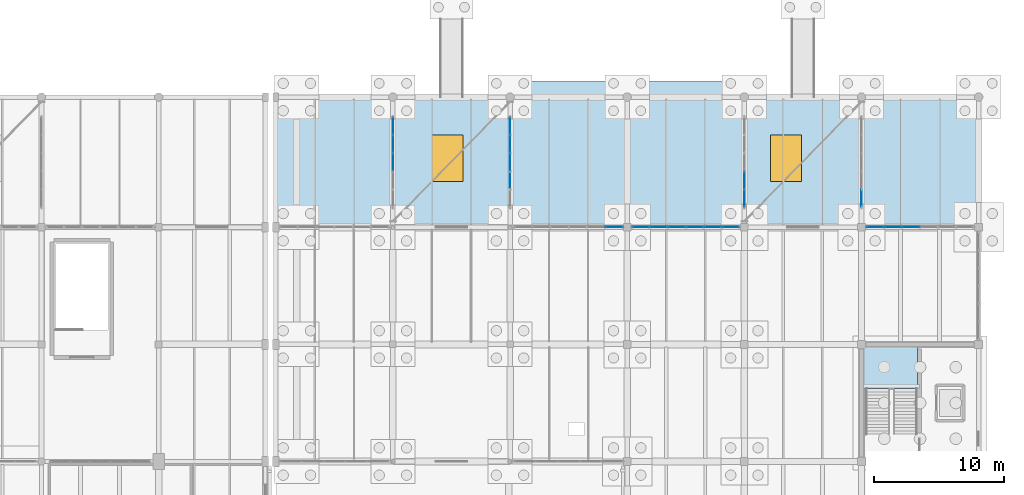
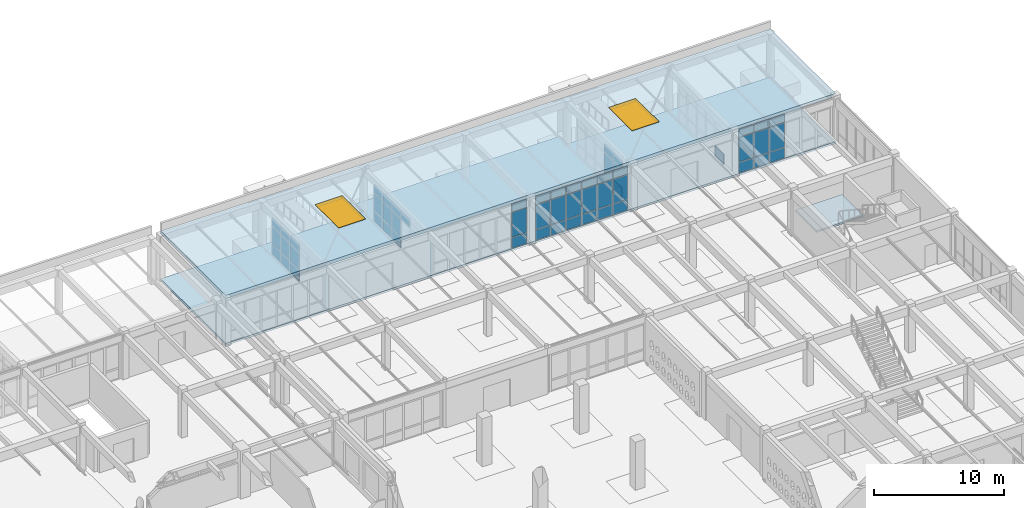
# One storey, part 154 of 186: 56 plates, 3 slabs, 2 windows, 2 openings, 8 elements without a shape of their own.
"""IFC4 building model written with IfcOpenShell, lengths in metres."""

from ifc_helpers import new_model, si_unit, direction, frame, origin, origin_2d, place, context, subcontext, project, spatial, polyline, rectangle, outline, extrude, material, layer, layer_set, type_object, element, fill, aggregate, save


model = new_model("IFC4")

# Units and contexts
model_context = context("Model", 3, precision=1e-05, world=origin(), true_north=direction((0.0, 1.0)))
body_context = subcontext(model_context, "Body", "Model", "MODEL_VIEW")
ifc_project = project(units=[si_unit("LENGTHUNIT", "METRE"), si_unit("AREAUNIT", "SQUARE_METRE"), si_unit("VOLUMEUNIT", "CUBIC_METRE"), si_unit("PLANEANGLEUNIT", "RADIAN"), si_unit("MASSUNIT", "GRAM", prefix="KILO")], contexts=[model_context])

# Site, building, storey
site_placement = place(None, origin())
site = spatial("IfcSite", under=ifc_project, at=site_placement, CompositionType="ELEMENT")
building_placement = place(site_placement, origin())
building = spatial("IfcBuilding", under=site, at=building_placement, Name="Ornek Quay Market", CompositionType="ELEMENT")
storey_placement = place(building_placement, origin())
storey = spatial("IfcBuildingStorey", under=building, at=storey_placement, Name="L00", CompositionType="ELEMENT", Elevation=0.0)

# Curtain wall, plates
ifc_material_1 = material(Name="Anodised bronze aluminium and triple low-e glass", Category="aluminium")
ifc_layer_1 = layer(ifc_material_1, 0.179931640625, Name="Anodised bronze aluminium and triple low-e glass", Category="aluminium")
ifc_layer_set_1 = layer_set([ifc_layer_1], Name="Anodised bronze aluminium and triple low-e glass")
curtain_wall_type_1 = type_object("IfcCurtainWallType", Name="CW-CONC-MOD1500", PredefinedType="USERDEFINED", material=ifc_layer_set_1)
curtain_wall_1_placement = place(storey_placement, origin())
curtain_wall_1 = element("IfcCurtainWall", 1, at=curtain_wall_1_placement, inside=storey, type_object=curtain_wall_type_1, Name="Curtain wall CW-029", ObjectType="CURTAIN WALL", PredefinedType="USERDEFINED")
ifc_material_2 = material(Name="Triple insulated low-e glass", Category="glass")
ifc_layer_2 = layer(ifc_material_2, 0.035888671875, Name="Triple insulated low-e glass", Category="glass")
ifc_layer_set_2 = layer_set([ifc_layer_2], Name="Triple insulated low-e glass")
plate_type = type_object("IfcPlateType", Name="PL-CW-TRIPLE-36", PredefinedType="CURTAIN_PANEL", material=ifc_layer_set_2)
plate_1_placement = place(storey_placement, frame((151.985107421875, 110.0, 0.06005859375), z_axis=(0.0, 0.0, 1.0), x_axis=(1.0, 0.0, 0.0)))
plate_1 = element("IfcPlate", 2, at=plate_1_placement, type_object=plate_type, Name="CW-029 panel 6.1", PredefinedType="CURTAIN_PANEL", context=body_context, shape_type="SweptSolid", body=[
    extrude(rectangle(XDim=1.31005859375, YDim=0.035888671875, at=origin_2d()), origin(), (0.0, 0.0, 1.0), 0.9599609375),
])
plate_2_placement = place(storey_placement, frame((151.985107421875, 110.0, 1.080078125), z_axis=(0.0, 0.0, 1.0), x_axis=(1.0, 0.0, 0.0)))
plate_2 = element("IfcPlate", 3, at=plate_2_placement, type_object=plate_type, Name="CW-029 panel 6.2", PredefinedType="CURTAIN_PANEL", context=body_context, shape_type="SweptSolid", body=[
    extrude(rectangle(XDim=1.31005859375, YDim=0.035888671875, at=origin_2d()), origin(), (0.0, 0.0, 1.0), 2.31005859375),
])
plate_3_placement = place(storey_placement, frame((151.985107421875, 110.0, 3.4501953125), z_axis=(0.0, 0.0, 1.0), x_axis=(1.0, 0.0, 0.0)))
plate_3 = element("IfcPlate", 4, at=plate_3_placement, type_object=plate_type, Name="CW-029 panel 6.3", PredefinedType="CURTAIN_PANEL", context=body_context, shape_type="SweptSolid", body=[
    extrude(rectangle(XDim=1.31005859375, YDim=0.035888671875, at=origin_2d()), origin(), (0.0, 0.0, 1.0), 0.760009765625),
])
aggregate(curtain_wall_1, [plate_1, plate_2, plate_3])

ifc_layer_3 = layer(ifc_material_1, 0.18994140625, Name="Anodised bronze aluminium and triple low-e glass", Category="aluminium")
ifc_layer_set_3 = layer_set([ifc_layer_3], Name="Anodised bronze aluminium and triple low-e glass")
curtain_wall_type_2 = type_object("IfcCurtainWallType", Name="CW-FC-MOD1500", PredefinedType="USERDEFINED", material=ifc_layer_set_3)
curtain_wall_2_placement = place(storey_placement, origin())
curtain_wall_2 = element("IfcCurtainWall", 5, at=curtain_wall_2_placement, inside=storey, type_object=curtain_wall_type_2, Name="Curtain wall CW-079", ObjectType="CURTAIN WALL", PredefinedType="USERDEFINED")
plate_4_placement = place(storey_placement, frame((154.05908203125, 110.0, 0.06494140625), z_axis=(0.0, 0.0, 1.0), x_axis=(1.0, 0.0, 0.0)))
plate_4 = element("IfcPlate", 6, at=plate_4_placement, type_object=plate_type, Name="CW-079 panel 1.1", PredefinedType="CURTAIN_PANEL", context=body_context, shape_type="SweptSolid", body=[
    extrude(rectangle(XDim=1.2783203125, YDim=0.035888671875, at=origin_2d()), origin(), (0.0, 0.0, 1.0), 0.952392578125),
])
plate_5_placement = place(storey_placement, frame((154.05908203125, 110.0, 1.08251953125), z_axis=(0.0, 0.0, 1.0), x_axis=(1.0, 0.0, 0.0)))
plate_5 = element("IfcPlate", 7, at=plate_5_placement, type_object=plate_type, Name="CW-079 panel 1.2", PredefinedType="CURTAIN_PANEL", context=body_context, shape_type="SweptSolid", body=[
    extrude(rectangle(XDim=1.2783203125, YDim=0.035888671875, at=origin_2d()), origin(), (0.0, 0.0, 1.0), 2.264892578125),
])
plate_6_placement = place(storey_placement, frame((154.05908203125, 110.0, 3.41259765625), z_axis=(0.0, 0.0, 1.0), x_axis=(1.0, 0.0, 0.0)))
plate_6 = element("IfcPlate", 8, at=plate_6_placement, type_object=plate_type, Name="CW-079 panel 1.3", PredefinedType="CURTAIN_PANEL", context=body_context, shape_type="SweptSolid", body=[
    extrude(rectangle(XDim=1.2783203125, YDim=0.035888671875, at=origin_2d()), origin(), (0.0, 0.0, 1.0), 0.75244140625),
])
plate_7_placement = place(storey_placement, frame((155.425048828125, 110.0, 0.06494140625), z_axis=(0.0, 0.0, 1.0), x_axis=(1.0, 0.0, 0.0)))
plate_7 = element("IfcPlate", 9, at=plate_7_placement, type_object=plate_type, Name="CW-079 panel 2.1", PredefinedType="CURTAIN_PANEL", context=body_context, shape_type="SweptSolid", body=[
    extrude(rectangle(XDim=1.313232421875, YDim=0.035888671875, at=origin_2d()), origin(), (0.0, 0.0, 1.0), 0.952392578125),
])
plate_8_placement = place(storey_placement, frame((155.425048828125, 110.0, 1.08251953125), z_axis=(0.0, 0.0, 1.0), x_axis=(1.0, 0.0, 0.0)))
plate_8 = element("IfcPlate", 10, at=plate_8_placement, type_object=plate_type, Name="CW-079 panel 2.2", PredefinedType="CURTAIN_PANEL", context=body_context, shape_type="SweptSolid", body=[
    extrude(rectangle(XDim=1.313232421875, YDim=0.035888671875, at=origin_2d()), origin(), (0.0, 0.0, 1.0), 2.264892578125),
])
plate_9_placement = place(storey_placement, frame((155.425048828125, 110.0, 3.41259765625), z_axis=(0.0, 0.0, 1.0), x_axis=(1.0, 0.0, 0.0)))
plate_9 = element("IfcPlate", 11, at=plate_9_placement, type_object=plate_type, Name="CW-079 panel 2.3", PredefinedType="CURTAIN_PANEL", context=body_context, shape_type="SweptSolid", body=[
    extrude(rectangle(XDim=1.313232421875, YDim=0.035888671875, at=origin_2d()), origin(), (0.0, 0.0, 1.0), 0.75244140625),
])
plate_10_placement = place(storey_placement, frame((156.808349609375, 110.0, 0.06494140625), z_axis=(0.0, 0.0, 1.0), x_axis=(1.0, 0.0, 0.0)))
plate_10 = element("IfcPlate", 12, at=plate_10_placement, type_object=plate_type, Name="CW-079 panel 3.1", PredefinedType="CURTAIN_PANEL", context=body_context, shape_type="SweptSolid", body=[
    extrude(rectangle(XDim=1.313232421875, YDim=0.035888671875, at=origin_2d()), origin(), (0.0, 0.0, 1.0), 0.952392578125),
])
plate_11_placement = place(storey_placement, frame((156.808349609375, 110.0, 1.08251953125), z_axis=(0.0, 0.0, 1.0), x_axis=(1.0, 0.0, 0.0)))
plate_11 = element("IfcPlate", 13, at=plate_11_placement, type_object=plate_type, Name="CW-079 panel 3.2", PredefinedType="CURTAIN_PANEL", context=body_context, shape_type="SweptSolid", body=[
    extrude(rectangle(XDim=1.313232421875, YDim=0.035888671875, at=origin_2d()), origin(), (0.0, 0.0, 1.0), 2.264892578125),
])
plate_12_placement = place(storey_placement, frame((156.808349609375, 110.0, 3.41259765625), z_axis=(0.0, 0.0, 1.0), x_axis=(1.0, 0.0, 0.0)))
plate_12 = element("IfcPlate", 14, at=plate_12_placement, type_object=plate_type, Name="CW-079 panel 3.3", PredefinedType="CURTAIN_PANEL", context=body_context, shape_type="SweptSolid", body=[
    extrude(rectangle(XDim=1.313232421875, YDim=0.035888671875, at=origin_2d()), origin(), (0.0, 0.0, 1.0), 0.75244140625),
])
plate_13_placement = place(storey_placement, frame((158.191650390625, 110.0, 0.06494140625), z_axis=(0.0, 0.0, 1.0), x_axis=(1.0, 0.0, 0.0)))
plate_13 = element("IfcPlate", 15, at=plate_13_placement, type_object=plate_type, Name="CW-079 panel 4.1", PredefinedType="CURTAIN_PANEL", context=body_context, shape_type="SweptSolid", body=[
    extrude(rectangle(XDim=1.313232421875, YDim=0.035888671875, at=origin_2d()), origin(), (0.0, 0.0, 1.0), 0.952392578125),
])
plate_14_placement = place(storey_placement, frame((158.191650390625, 110.0, 1.08251953125), z_axis=(0.0, 0.0, 1.0), x_axis=(1.0, 0.0, 0.0)))
plate_14 = element("IfcPlate", 16, at=plate_14_placement, type_object=plate_type, Name="CW-079 panel 4.2", PredefinedType="CURTAIN_PANEL", context=body_context, shape_type="SweptSolid", body=[
    extrude(rectangle(XDim=1.313232421875, YDim=0.035888671875, at=origin_2d()), origin(), (0.0, 0.0, 1.0), 2.264892578125),
])
plate_15_placement = place(storey_placement, frame((158.191650390625, 110.0, 3.41259765625), z_axis=(0.0, 0.0, 1.0), x_axis=(1.0, 0.0, 0.0)))
plate_15 = element("IfcPlate", 17, at=plate_15_placement, type_object=plate_type, Name="CW-079 panel 4.3", PredefinedType="CURTAIN_PANEL", context=body_context, shape_type="SweptSolid", body=[
    extrude(rectangle(XDim=1.313232421875, YDim=0.035888671875, at=origin_2d()), origin(), (0.0, 0.0, 1.0), 0.75244140625),
])
plate_16_placement = place(storey_placement, frame((159.574951171875, 110.0, 0.06494140625), z_axis=(0.0, 0.0, 1.0), x_axis=(1.0, 0.0, 0.0)))
plate_16 = element("IfcPlate", 18, at=plate_16_placement, type_object=plate_type, Name="CW-079 panel 5.1", PredefinedType="CURTAIN_PANEL", context=body_context, shape_type="SweptSolid", body=[
    extrude(rectangle(XDim=1.313232421875, YDim=0.035888671875, at=origin_2d()), origin(), (0.0, 0.0, 1.0), 0.952392578125),
])
plate_17_placement = place(storey_placement, frame((159.574951171875, 110.0, 1.08251953125), z_axis=(0.0, 0.0, 1.0), x_axis=(1.0, 0.0, 0.0)))
plate_17 = element("IfcPlate", 19, at=plate_17_placement, type_object=plate_type, Name="CW-079 panel 5.2", PredefinedType="CURTAIN_PANEL", context=body_context, shape_type="SweptSolid", body=[
    extrude(rectangle(XDim=1.313232421875, YDim=0.035888671875, at=origin_2d()), origin(), (0.0, 0.0, 1.0), 2.264892578125),
])
plate_18_placement = place(storey_placement, frame((159.574951171875, 110.0, 3.41259765625), z_axis=(0.0, 0.0, 1.0), x_axis=(1.0, 0.0, 0.0)))
plate_18 = element("IfcPlate", 20, at=plate_18_placement, type_object=plate_type, Name="CW-079 panel 5.3", PredefinedType="CURTAIN_PANEL", context=body_context, shape_type="SweptSolid", body=[
    extrude(rectangle(XDim=1.313232421875, YDim=0.035888671875, at=origin_2d()), origin(), (0.0, 0.0, 1.0), 0.75244140625),
])
plate_19_placement = place(storey_placement, frame((160.94091796875, 110.0, 0.06494140625), z_axis=(0.0, 0.0, 1.0), x_axis=(1.0, 0.0, 0.0)))
plate_19 = element("IfcPlate", 21, at=plate_19_placement, type_object=plate_type, Name="CW-079 panel 6.1", PredefinedType="CURTAIN_PANEL", context=body_context, shape_type="SweptSolid", body=[
    extrude(rectangle(XDim=1.2783203125, YDim=0.035888671875, at=origin_2d()), origin(), (0.0, 0.0, 1.0), 0.952392578125),
])
plate_20_placement = place(storey_placement, frame((160.94091796875, 110.0, 1.08251953125), z_axis=(0.0, 0.0, 1.0), x_axis=(1.0, 0.0, 0.0)))
plate_20 = element("IfcPlate", 22, at=plate_20_placement, type_object=plate_type, Name="CW-079 panel 6.2", PredefinedType="CURTAIN_PANEL", context=body_context, shape_type="SweptSolid", body=[
    extrude(rectangle(XDim=1.2783203125, YDim=0.035888671875, at=origin_2d()), origin(), (0.0, 0.0, 1.0), 2.264892578125),
])
plate_21_placement = place(storey_placement, frame((160.94091796875, 110.0, 3.41259765625), z_axis=(0.0, 0.0, 1.0), x_axis=(1.0, 0.0, 0.0)))
plate_21 = element("IfcPlate", 23, at=plate_21_placement, type_object=plate_type, Name="CW-079 panel 6.3", PredefinedType="CURTAIN_PANEL", context=body_context, shape_type="SweptSolid", body=[
    extrude(rectangle(XDim=1.2783203125, YDim=0.035888671875, at=origin_2d()), origin(), (0.0, 0.0, 1.0), 0.75244140625),
])
aggregate(curtain_wall_2, [plate_4, plate_5, plate_6, plate_7, plate_8, plate_9, plate_10, plate_11, plate_12, plate_13, plate_14, plate_15, plate_16, plate_17, plate_18, plate_19, plate_20, plate_21])

curtain_wall_3_placement = place(storey_placement, origin())
curtain_wall_3 = element("IfcCurtainWall", 24, at=curtain_wall_3_placement, inside=storey, type_object=curtain_wall_type_2, Name="Curtain wall CW-080", ObjectType="CURTAIN WALL", PredefinedType="USERDEFINED")
plate_22_placement = place(storey_placement, frame((172.05908203125, 110.0, 0.06494140625), z_axis=(0.0, 0.0, 1.0), x_axis=(1.0, 0.0, 0.0)))
plate_22 = element("IfcPlate", 25, at=plate_22_placement, type_object=plate_type, Name="CW-080 panel 1.1", PredefinedType="CURTAIN_PANEL", context=body_context, shape_type="SweptSolid", body=[
    extrude(rectangle(XDim=1.2783203125, YDim=0.035888671875, at=origin_2d()), origin(), (0.0, 0.0, 1.0), 0.952392578125),
])
plate_23_placement = place(storey_placement, frame((172.05908203125, 110.0, 1.08251953125), z_axis=(0.0, 0.0, 1.0), x_axis=(1.0, 0.0, 0.0)))
plate_23 = element("IfcPlate", 26, at=plate_23_placement, type_object=plate_type, Name="CW-080 panel 1.2", PredefinedType="CURTAIN_PANEL", context=body_context, shape_type="SweptSolid", body=[
    extrude(rectangle(XDim=1.2783203125, YDim=0.035888671875, at=origin_2d()), origin(), (0.0, 0.0, 1.0), 2.264892578125),
])
plate_24_placement = place(storey_placement, frame((172.05908203125, 110.0, 3.41259765625), z_axis=(0.0, 0.0, 1.0), x_axis=(1.0, 0.0, 0.0)))
plate_24 = element("IfcPlate", 27, at=plate_24_placement, type_object=plate_type, Name="CW-080 panel 1.3", PredefinedType="CURTAIN_PANEL", context=body_context, shape_type="SweptSolid", body=[
    extrude(rectangle(XDim=1.2783203125, YDim=0.035888671875, at=origin_2d()), origin(), (0.0, 0.0, 1.0), 0.75244140625),
])
plate_25_placement = place(storey_placement, frame((173.425048828125, 110.0, 0.06494140625), z_axis=(0.0, 0.0, 1.0), x_axis=(1.0, 0.0, 0.0)))
plate_25 = element("IfcPlate", 28, at=plate_25_placement, type_object=plate_type, Name="CW-080 panel 2.1", PredefinedType="CURTAIN_PANEL", context=body_context, shape_type="SweptSolid", body=[
    extrude(rectangle(XDim=1.313232421875, YDim=0.035888671875, at=origin_2d()), origin(), (0.0, 0.0, 1.0), 0.952392578125),
])
plate_26_placement = place(storey_placement, frame((173.425048828125, 110.0, 1.08251953125), z_axis=(0.0, 0.0, 1.0), x_axis=(1.0, 0.0, 0.0)))
plate_26 = element("IfcPlate", 29, at=plate_26_placement, type_object=plate_type, Name="CW-080 panel 2.2", PredefinedType="CURTAIN_PANEL", context=body_context, shape_type="SweptSolid", body=[
    extrude(rectangle(XDim=1.313232421875, YDim=0.035888671875, at=origin_2d()), origin(), (0.0, 0.0, 1.0), 2.264892578125),
])
plate_27_placement = place(storey_placement, frame((173.425048828125, 110.0, 3.41259765625), z_axis=(0.0, 0.0, 1.0), x_axis=(1.0, 0.0, 0.0)))
plate_27 = element("IfcPlate", 30, at=plate_27_placement, type_object=plate_type, Name="CW-080 panel 2.3", PredefinedType="CURTAIN_PANEL", context=body_context, shape_type="SweptSolid", body=[
    extrude(rectangle(XDim=1.313232421875, YDim=0.035888671875, at=origin_2d()), origin(), (0.0, 0.0, 1.0), 0.75244140625),
])
plate_28_placement = place(storey_placement, frame((174.808349609375, 110.0, 0.06494140625), z_axis=(0.0, 0.0, 1.0), x_axis=(1.0, 0.0, 0.0)))
plate_28 = element("IfcPlate", 31, at=plate_28_placement, type_object=plate_type, Name="CW-080 panel 3.1", PredefinedType="CURTAIN_PANEL", context=body_context, shape_type="SweptSolid", body=[
    extrude(rectangle(XDim=1.313232421875, YDim=0.035888671875, at=origin_2d()), origin(), (0.0, 0.0, 1.0), 0.952392578125),
])
plate_29_placement = place(storey_placement, frame((174.808349609375, 110.0, 1.08251953125), z_axis=(0.0, 0.0, 1.0), x_axis=(1.0, 0.0, 0.0)))
plate_29 = element("IfcPlate", 32, at=plate_29_placement, type_object=plate_type, Name="CW-080 panel 3.2", PredefinedType="CURTAIN_PANEL", context=body_context, shape_type="SweptSolid", body=[
    extrude(rectangle(XDim=1.313232421875, YDim=0.035888671875, at=origin_2d()), origin(), (0.0, 0.0, 1.0), 2.264892578125),
])
plate_30_placement = place(storey_placement, frame((174.808349609375, 110.0, 3.41259765625), z_axis=(0.0, 0.0, 1.0), x_axis=(1.0, 0.0, 0.0)))
plate_30 = element("IfcPlate", 33, at=plate_30_placement, type_object=plate_type, Name="CW-080 panel 3.3", PredefinedType="CURTAIN_PANEL", context=body_context, shape_type="SweptSolid", body=[
    extrude(rectangle(XDim=1.313232421875, YDim=0.035888671875, at=origin_2d()), origin(), (0.0, 0.0, 1.0), 0.75244140625),
])
aggregate(curtain_wall_3, [plate_22, plate_23, plate_24, plate_25, plate_26, plate_27, plate_28, plate_29, plate_30])

ifc_layer_4 = layer(ifc_material_1, 0.219970703125, Name="Anodised bronze aluminium and triple low-e glass", Category="aluminium")
ifc_layer_set_4 = layer_set([ifc_layer_4], Name="Anodised bronze aluminium and triple low-e glass")
curtain_wall_type_3 = type_object("IfcCurtainWallType", Name="CW-PORCH-MOD1500", PredefinedType="USERDEFINED", material=ifc_layer_set_4)
curtain_wall_4_placement = place(storey_placement, origin())
curtain_wall_4 = element("IfcCurtainWall", 34, at=curtain_wall_4_placement, inside=storey, type_object=curtain_wall_type_3, Name="Curtain wall CW-155", ObjectType="CURTAIN WALL", PredefinedType="USERDEFINED")
plate_31_placement = place(storey_placement, frame((135.0, 115.0, 0.06982421875), z_axis=(0.0, 0.0, 1.0), x_axis=(0.0, 1.0, 0.0)))
plate_31 = element("IfcPlate", 35, at=plate_31_placement, type_object=plate_type, Name="CW-155 panel 3.1", PredefinedType="CURTAIN_PANEL", context=body_context, shape_type="SweptSolid", body=[
    extrude(rectangle(XDim=1.330078125, YDim=0.035888671875, at=origin_2d()), origin(), (0.0, 0.0, 1.0), 0.945068359375),
])
plate_32_placement = place(storey_placement, frame((135.0, 115.0, 1.0849609375), z_axis=(0.0, 0.0, 1.0), x_axis=(0.0, 1.0, 0.0)))
plate_32 = element("IfcPlate", 36, at=plate_32_placement, type_object=plate_type, Name="CW-155 panel 3.2", PredefinedType="CURTAIN_PANEL", context=body_context, shape_type="SweptSolid", body=[
    extrude(rectangle(XDim=1.330078125, YDim=0.035888671875, at=origin_2d()), origin(), (0.0, 0.0, 1.0), 1.6298828125),
])
plate_33_placement = place(storey_placement, frame((135.0, 115.0, 2.784912109375), z_axis=(0.0, 0.0, 1.0), x_axis=(0.0, 1.0, 0.0)))
plate_33 = element("IfcPlate", 37, at=plate_33_placement, type_object=plate_type, Name="CW-155 panel 3.3", PredefinedType="CURTAIN_PANEL", context=body_context, shape_type="SweptSolid", body=[
    extrude(rectangle(XDim=1.330078125, YDim=0.035888671875, at=origin_2d()), origin(), (0.0, 0.0, 1.0), 0.7451171875),
])
plate_34_placement = place(storey_placement, frame((135.0, 116.39990234375, 0.06982421875), z_axis=(0.0, 0.0, 1.0), x_axis=(0.0, 1.0, 0.0)))
plate_34 = element("IfcPlate", 38, at=plate_34_placement, type_object=plate_type, Name="CW-155 panel 4.1", PredefinedType="CURTAIN_PANEL", context=body_context, shape_type="SweptSolid", body=[
    extrude(rectangle(XDim=1.330078125, YDim=0.035888671875, at=origin_2d()), origin(), (0.0, 0.0, 1.0), 0.945068359375),
])
plate_35_placement = place(storey_placement, frame((135.0, 116.39990234375, 1.0849609375), z_axis=(0.0, 0.0, 1.0), x_axis=(0.0, 1.0, 0.0)))
plate_35 = element("IfcPlate", 39, at=plate_35_placement, type_object=plate_type, Name="CW-155 panel 4.2", PredefinedType="CURTAIN_PANEL", context=body_context, shape_type="SweptSolid", body=[
    extrude(rectangle(XDim=1.330078125, YDim=0.035888671875, at=origin_2d()), origin(), (0.0, 0.0, 1.0), 1.6298828125),
])
plate_36_placement = place(storey_placement, frame((135.0, 116.39990234375, 2.784912109375), z_axis=(0.0, 0.0, 1.0), x_axis=(0.0, 1.0, 0.0)))
plate_36 = element("IfcPlate", 40, at=plate_36_placement, type_object=plate_type, Name="CW-155 panel 4.3", PredefinedType="CURTAIN_PANEL", context=body_context, shape_type="SweptSolid", body=[
    extrude(rectangle(XDim=1.330078125, YDim=0.035888671875, at=origin_2d()), origin(), (0.0, 0.0, 1.0), 0.7451171875),
])
plate_37_placement = place(storey_placement, frame((135.0, 117.782470703125, 0.06982421875), z_axis=(0.0, 0.0, 1.0), x_axis=(0.0, 1.0, 0.0)))
plate_37 = element("IfcPlate", 41, at=plate_37_placement, type_object=plate_type, Name="CW-155 panel 5.1", PredefinedType="CURTAIN_PANEL", context=body_context, shape_type="SweptSolid", body=[
    extrude(rectangle(XDim=1.294921875, YDim=0.035888671875, at=origin_2d()), origin(), (0.0, 0.0, 1.0), 0.945068359375),
])
plate_38_placement = place(storey_placement, frame((135.0, 117.782470703125, 1.0849609375), z_axis=(0.0, 0.0, 1.0), x_axis=(0.0, 1.0, 0.0)))
plate_38 = element("IfcPlate", 42, at=plate_38_placement, type_object=plate_type, Name="CW-155 panel 5.2", PredefinedType="CURTAIN_PANEL", context=body_context, shape_type="SweptSolid", body=[
    extrude(rectangle(XDim=1.294921875, YDim=0.035888671875, at=origin_2d()), origin(), (0.0, 0.0, 1.0), 1.6298828125),
])
plate_39_placement = place(storey_placement, frame((135.0, 117.782470703125, 2.784912109375), z_axis=(0.0, 0.0, 1.0), x_axis=(0.0, 1.0, 0.0)))
plate_39 = element("IfcPlate", 43, at=plate_39_placement, type_object=plate_type, Name="CW-155 panel 5.3", PredefinedType="CURTAIN_PANEL", context=body_context, shape_type="SweptSolid", body=[
    extrude(rectangle(XDim=1.294921875, YDim=0.035888671875, at=origin_2d()), origin(), (0.0, 0.0, 1.0), 0.7451171875),
])
aggregate(curtain_wall_4, [plate_31, plate_32, plate_33, plate_34, plate_35, plate_36, plate_37, plate_38, plate_39])

curtain_wall_5_placement = place(storey_placement, origin())
curtain_wall_5 = element("IfcCurtainWall", 44, at=curtain_wall_5_placement, inside=storey, type_object=curtain_wall_type_3, Name="Curtain wall CW-156", ObjectType="CURTAIN WALL", PredefinedType="USERDEFINED")
plate_40_placement = place(storey_placement, frame((144.0, 113.60009765625, 2.784912109375), z_axis=(0.0, 0.0, 1.0), x_axis=(0.0, 1.0, 0.0)))
plate_40 = element("IfcPlate", 45, at=plate_40_placement, type_object=plate_type, Name="CW-156 panel 2.3", PredefinedType="CURTAIN_PANEL", context=body_context, shape_type="SweptSolid", body=[
    extrude(rectangle(XDim=1.330078125, YDim=0.035888671875, at=origin_2d()), origin(), (0.0, 0.0, 1.0), 0.7451171875),
])
plate_41_placement = place(storey_placement, frame((144.0, 115.0, 0.06982421875), z_axis=(0.0, 0.0, 1.0), x_axis=(0.0, 1.0, 0.0)))
plate_41 = element("IfcPlate", 46, at=plate_41_placement, type_object=plate_type, Name="CW-156 panel 3.1", PredefinedType="CURTAIN_PANEL", context=body_context, shape_type="SweptSolid", body=[
    extrude(rectangle(XDim=1.330078125, YDim=0.035888671875, at=origin_2d()), origin(), (0.0, 0.0, 1.0), 0.945068359375),
])
plate_42_placement = place(storey_placement, frame((144.0, 115.0, 1.0849609375), z_axis=(0.0, 0.0, 1.0), x_axis=(0.0, 1.0, 0.0)))
plate_42 = element("IfcPlate", 47, at=plate_42_placement, type_object=plate_type, Name="CW-156 panel 3.2", PredefinedType="CURTAIN_PANEL", context=body_context, shape_type="SweptSolid", body=[
    extrude(rectangle(XDim=1.330078125, YDim=0.035888671875, at=origin_2d()), origin(), (0.0, 0.0, 1.0), 1.6298828125),
])
plate_43_placement = place(storey_placement, frame((144.0, 115.0, 2.784912109375), z_axis=(0.0, 0.0, 1.0), x_axis=(0.0, 1.0, 0.0)))
plate_43 = element("IfcPlate", 48, at=plate_43_placement, type_object=plate_type, Name="CW-156 panel 3.3", PredefinedType="CURTAIN_PANEL", context=body_context, shape_type="SweptSolid", body=[
    extrude(rectangle(XDim=1.330078125, YDim=0.035888671875, at=origin_2d()), origin(), (0.0, 0.0, 1.0), 0.7451171875),
])
plate_44_placement = place(storey_placement, frame((144.0, 116.39990234375, 0.06982421875), z_axis=(0.0, 0.0, 1.0), x_axis=(0.0, 1.0, 0.0)))
plate_44 = element("IfcPlate", 49, at=plate_44_placement, type_object=plate_type, Name="CW-156 panel 4.1", PredefinedType="CURTAIN_PANEL", context=body_context, shape_type="SweptSolid", body=[
    extrude(rectangle(XDim=1.330078125, YDim=0.035888671875, at=origin_2d()), origin(), (0.0, 0.0, 1.0), 0.945068359375),
])
plate_45_placement = place(storey_placement, frame((144.0, 116.39990234375, 1.0849609375), z_axis=(0.0, 0.0, 1.0), x_axis=(0.0, 1.0, 0.0)))
plate_45 = element("IfcPlate", 50, at=plate_45_placement, type_object=plate_type, Name="CW-156 panel 4.2", PredefinedType="CURTAIN_PANEL", context=body_context, shape_type="SweptSolid", body=[
    extrude(rectangle(XDim=1.330078125, YDim=0.035888671875, at=origin_2d()), origin(), (0.0, 0.0, 1.0), 1.6298828125),
])
plate_46_placement = place(storey_placement, frame((144.0, 116.39990234375, 2.784912109375), z_axis=(0.0, 0.0, 1.0), x_axis=(0.0, 1.0, 0.0)))
plate_46 = element("IfcPlate", 51, at=plate_46_placement, type_object=plate_type, Name="CW-156 panel 4.3", PredefinedType="CURTAIN_PANEL", context=body_context, shape_type="SweptSolid", body=[
    extrude(rectangle(XDim=1.330078125, YDim=0.035888671875, at=origin_2d()), origin(), (0.0, 0.0, 1.0), 0.7451171875),
])
plate_47_placement = place(storey_placement, frame((144.0, 117.782470703125, 0.06982421875), z_axis=(0.0, 0.0, 1.0), x_axis=(0.0, 1.0, 0.0)))
plate_47 = element("IfcPlate", 52, at=plate_47_placement, type_object=plate_type, Name="CW-156 panel 5.1", PredefinedType="CURTAIN_PANEL", context=body_context, shape_type="SweptSolid", body=[
    extrude(rectangle(XDim=1.294921875, YDim=0.035888671875, at=origin_2d()), origin(), (0.0, 0.0, 1.0), 0.945068359375),
])
plate_48_placement = place(storey_placement, frame((144.0, 117.782470703125, 1.0849609375), z_axis=(0.0, 0.0, 1.0), x_axis=(0.0, 1.0, 0.0)))
plate_48 = element("IfcPlate", 53, at=plate_48_placement, type_object=plate_type, Name="CW-156 panel 5.2", PredefinedType="CURTAIN_PANEL", context=body_context, shape_type="SweptSolid", body=[
    extrude(rectangle(XDim=1.294921875, YDim=0.035888671875, at=origin_2d()), origin(), (0.0, 0.0, 1.0), 1.6298828125),
])
plate_49_placement = place(storey_placement, frame((144.0, 117.782470703125, 2.784912109375), z_axis=(0.0, 0.0, 1.0), x_axis=(0.0, 1.0, 0.0)))
plate_49 = element("IfcPlate", 54, at=plate_49_placement, type_object=plate_type, Name="CW-156 panel 5.3", PredefinedType="CURTAIN_PANEL", context=body_context, shape_type="SweptSolid", body=[
    extrude(rectangle(XDim=1.294921875, YDim=0.035888671875, at=origin_2d()), origin(), (0.0, 0.0, 1.0), 0.7451171875),
])
aggregate(curtain_wall_5, [plate_40, plate_41, plate_42, plate_43, plate_44, plate_45, plate_46, plate_47, plate_48, plate_49])

curtain_wall_6_placement = place(storey_placement, origin())
curtain_wall_6 = element("IfcCurtainWall", 55, at=curtain_wall_6_placement, inside=storey, type_object=curtain_wall_type_3, Name="Curtain wall CW-157", ObjectType="CURTAIN WALL", PredefinedType="USERDEFINED")
plate_50_placement = place(storey_placement, frame((162.0, 112.217529296875, 0.06982421875), z_axis=(0.0, 0.0, 1.0), x_axis=(0.0, 1.0, 0.0)))
plate_50 = element("IfcPlate", 56, at=plate_50_placement, type_object=plate_type, Name="CW-157 panel 1.1", PredefinedType="CURTAIN_PANEL", context=body_context, shape_type="SweptSolid", body=[
    extrude(rectangle(XDim=1.294921875, YDim=0.035888671875, at=origin_2d()), origin(), (0.0, 0.0, 1.0), 0.945068359375),
])
plate_51_placement = place(storey_placement, frame((162.0, 112.217529296875, 1.0849609375), z_axis=(0.0, 0.0, 1.0), x_axis=(0.0, 1.0, 0.0)))
plate_51 = element("IfcPlate", 57, at=plate_51_placement, type_object=plate_type, Name="CW-157 panel 1.2", PredefinedType="CURTAIN_PANEL", context=body_context, shape_type="SweptSolid", body=[
    extrude(rectangle(XDim=1.294921875, YDim=0.035888671875, at=origin_2d()), origin(), (0.0, 0.0, 1.0), 1.6298828125),
])
plate_52_placement = place(storey_placement, frame((162.0, 112.217529296875, 2.784912109375), z_axis=(0.0, 0.0, 1.0), x_axis=(0.0, 1.0, 0.0)))
plate_52 = element("IfcPlate", 58, at=plate_52_placement, type_object=plate_type, Name="CW-157 panel 1.3", PredefinedType="CURTAIN_PANEL", context=body_context, shape_type="SweptSolid", body=[
    extrude(rectangle(XDim=1.294921875, YDim=0.035888671875, at=origin_2d()), origin(), (0.0, 0.0, 1.0), 0.7451171875),
])
plate_53_placement = place(storey_placement, frame((162.0, 113.60009765625, 0.06982421875), z_axis=(0.0, 0.0, 1.0), x_axis=(0.0, 1.0, 0.0)))
plate_53 = element("IfcPlate", 59, at=plate_53_placement, type_object=plate_type, Name="CW-157 panel 2.1", PredefinedType="CURTAIN_PANEL", context=body_context, shape_type="SweptSolid", body=[
    extrude(rectangle(XDim=1.330078125, YDim=0.035888671875, at=origin_2d()), origin(), (0.0, 0.0, 1.0), 0.945068359375),
])
plate_54_placement = place(storey_placement, frame((162.0, 113.60009765625, 1.0849609375), z_axis=(0.0, 0.0, 1.0), x_axis=(0.0, 1.0, 0.0)))
plate_54 = element("IfcPlate", 60, at=plate_54_placement, type_object=plate_type, Name="CW-157 panel 2.2", PredefinedType="CURTAIN_PANEL", context=body_context, shape_type="SweptSolid", body=[
    extrude(rectangle(XDim=1.330078125, YDim=0.035888671875, at=origin_2d()), origin(), (0.0, 0.0, 1.0), 1.6298828125),
])
plate_55_placement = place(storey_placement, frame((162.0, 113.60009765625, 2.784912109375), z_axis=(0.0, 0.0, 1.0), x_axis=(0.0, 1.0, 0.0)))
plate_55 = element("IfcPlate", 61, at=plate_55_placement, type_object=plate_type, Name="CW-157 panel 2.3", PredefinedType="CURTAIN_PANEL", context=body_context, shape_type="SweptSolid", body=[
    extrude(rectangle(XDim=1.330078125, YDim=0.035888671875, at=origin_2d()), origin(), (0.0, 0.0, 1.0), 0.7451171875),
])
aggregate(curtain_wall_6, [plate_50, plate_51, plate_52, plate_53, plate_54, plate_55])

# Curtain wall, plate
curtain_wall_7_placement = place(storey_placement, origin())
curtain_wall_7 = element("IfcCurtainWall", 62, at=curtain_wall_7_placement, inside=storey, type_object=curtain_wall_type_3, Name="Curtain wall CW-158", ObjectType="CURTAIN WALL", PredefinedType="USERDEFINED")
plate_56_placement = place(storey_placement, frame((171.0, 112.217529296875, 0.06982421875), z_axis=(0.0, 0.0, 1.0), x_axis=(0.0, 1.0, 0.0)))
plate_56 = element("IfcPlate", 63, at=plate_56_placement, type_object=plate_type, Name="CW-158 panel 1.1", PredefinedType="CURTAIN_PANEL", context=body_context, shape_type="SweptSolid", body=[
    extrude(rectangle(XDim=1.294921875, YDim=0.035888671875, at=origin_2d()), origin(), (0.0, 0.0, 1.0), 0.945068359375),
])
aggregate(curtain_wall_7, [plate_56])

# Slab
ifc_material_3 = material(Name="Concrete C40/50", Category="concrete")
ifc_layer_5 = layer(ifc_material_3, 0.199951171875, Name="Concrete C40/50", Category="concrete")
ifc_layer_set_5 = layer_set([ifc_layer_5], Name="Concrete C40/50")
slab_type_1 = type_object("IfcSlabType", Name="SL-EXT-QUAY-200", PredefinedType="FLOOR", material=ifc_layer_set_5)
slab_1_placement = place(storey_placement, frame((0.0, 0.0, -0.199951171875)))
element("IfcSlab", 64, at=slab_1_placement, inside=storey, type_object=slab_type_1, Name="Slab S-022 (L00)", PredefinedType="FLOOR", context=body_context, shape_type="SweptSolid", body=[
    extrude(outline(polyline([(126.0, 110.0), (180.0, 110.0), (180.0, 120.0), (162.0, 120.0), (162.0, 121.199951171875), (144.0, 121.199951171875), (144.0, 120.0), (126.0, 120.0), (126.0, 110.0)])), origin(), (0.0, 0.0, 1.0), 0.199951171875),
])

# Stair, slab
ifc_material_4 = material(Name="Precast concrete C40/50", Category="concrete")
stair_type = type_object("IfcStairType", Name="ST-CORE-L00-L01", PredefinedType="HALF_TURN_STAIR", material=ifc_material_4)
stair_placement = place(storey_placement, origin())
stair = element("IfcStair", 65, at=stair_placement, inside=storey, type_object=stair_type, Name="Core stair ST-05-L00 (L00 to L01)", PredefinedType="HALF_TURN_STAIR")
ifc_layer_6 = layer(ifc_material_4, 0.1650390625, Name="Precast concrete C40/50", Category="concrete")
ifc_layer_set_6 = layer_set([ifc_layer_6], Name="Precast concrete C40/50")
slab_type_2 = type_object("IfcSlabType", Name="SL-LND-165", PredefinedType="LANDING", material=ifc_layer_set_6)
slab_2_placement = place(storey_placement, frame((0.0, 0.0, 2.0849609375)))
slab_2 = element("IfcSlab", 66, at=slab_2_placement, type_object=slab_type_2, Name="ST-05-L00 landing 1", PredefinedType="LANDING", context=body_context, shape_type="SweptSolid", body=[
    extrude(outline(polyline([(171.159912109375, 97.592041015625), (175.300048828125, 97.592041015625), (175.300048828125, 100.840087890625), (171.159912109375, 100.840087890625), (171.159912109375, 97.592041015625)])), origin(), (0.0, 0.0, 1.0), 0.1650390625),
])
aggregate(stair, [slab_2])

# Slab, openings, windows
ifc_material_5 = material(Name="Concrete C35/45", Category="concrete")
ifc_layer_7 = layer(ifc_material_5, 0.31005859375, Name="Concrete C35/45", Category="concrete")
ifc_layer_set_7 = layer_set([ifc_layer_7], Name="Concrete C35/45")
slab_type_3 = type_object("IfcSlabType", Name="SL-RF-WING-310", PredefinedType="ROOF", material=ifc_layer_set_7)
slab_3_placement = place(storey_placement, frame((0.0, 0.0, 4.18994140625)))
slab_3 = element("IfcSlab", 67, at=slab_3_placement, inside=storey, type_object=slab_type_3, Name="Slab S-030 (L00)", PredefinedType="ROOF", context=body_context, shape_type="SweptSolid", body=[
    extrude(outline(polyline([(126.0, 110.0), (180.0, 110.0), (180.0, 120.0), (126.0, 120.0), (126.0, 110.0)]), holes=[polyline([(140.39990234375, 117.10009765625), (140.39990234375, 113.5), (138.0, 113.5), (138.0, 117.10009765625), (140.39990234375, 117.10009765625)]), polyline([(166.39990234375, 117.10009765625), (166.39990234375, 113.5), (164.0, 113.5), (164.0, 117.10009765625), (166.39990234375, 117.10009765625)])]), origin(), (0.0, 0.0, 1.0), 0.31005859375),
])
opening_1_placement = place(slab_3_placement, frame((139.199951171875, 115.300048828125, -0.010009765625)))
opening_1 = element("IfcOpeningElement", 68, at=opening_1_placement, cuts=slab_3, Name="Opening SK-01-05", PredefinedType="OPENING", context=body_context, shape_type="SweptSolid", body=[
    extrude(rectangle(XDim=2.39990234375, YDim=3.60009765625, at=origin_2d()), origin(), (0.0, 0.0, 1.0), 0.330078125),
])
opening_2_placement = place(slab_3_placement, frame((165.199951171875, 115.300048828125, -0.010009765625)))
opening_2 = element("IfcOpeningElement", 69, at=opening_2_placement, cuts=slab_3, Name="Opening SK-01-06", PredefinedType="OPENING", context=body_context, shape_type="SweptSolid", body=[
    extrude(rectangle(XDim=2.39990234375, YDim=3.60009765625, at=origin_2d()), origin(), (0.0, 0.0, 1.0), 0.330078125),
])
ifc_material_6 = material(Name="Thermally broken bronze aluminium and triple low-e glass", Category="aluminium")
window_type = type_object("IfcWindowType", Name="WN-SKY-2400x3600", PartitioningType="SINGLE_PANEL", PredefinedType="SKYLIGHT", material=ifc_material_6)
window_1_placement = place(opening_1_placement, frame((0.0, 0.0, 0.27001953125)))
window_1 = element("IfcWindow", 70, at=window_1_placement, inside=storey, type_object=window_type, Name="Roof skylight SK-01-05", OverallHeight=3.60009765625, OverallWidth=2.39990234375, PartitioningType="SINGLE_PANEL", PredefinedType="SKYLIGHT", context=body_context, shape_type="SweptSolid", body=[
    extrude(rectangle(XDim=2.39990234375, YDim=3.60009765625, at=origin_2d()), origin(), (0.0, 0.0, 1.0), 0.050048828125),
])
fill(opening_1, window_1)
window_2_placement = place(opening_2_placement, frame((0.0, 0.0, 0.27001953125)))
window_2 = element("IfcWindow", 71, at=window_2_placement, inside=storey, type_object=window_type, Name="Roof skylight SK-01-06", OverallHeight=3.60009765625, OverallWidth=2.39990234375, PartitioningType="SINGLE_PANEL", PredefinedType="SKYLIGHT", context=body_context, shape_type="SweptSolid", body=[
    extrude(rectangle(XDim=2.39990234375, YDim=3.60009765625, at=origin_2d()), origin(), (0.0, 0.0, 1.0), 0.050048828125),
])
fill(opening_2, window_2)

save(model, "model.ifc")
